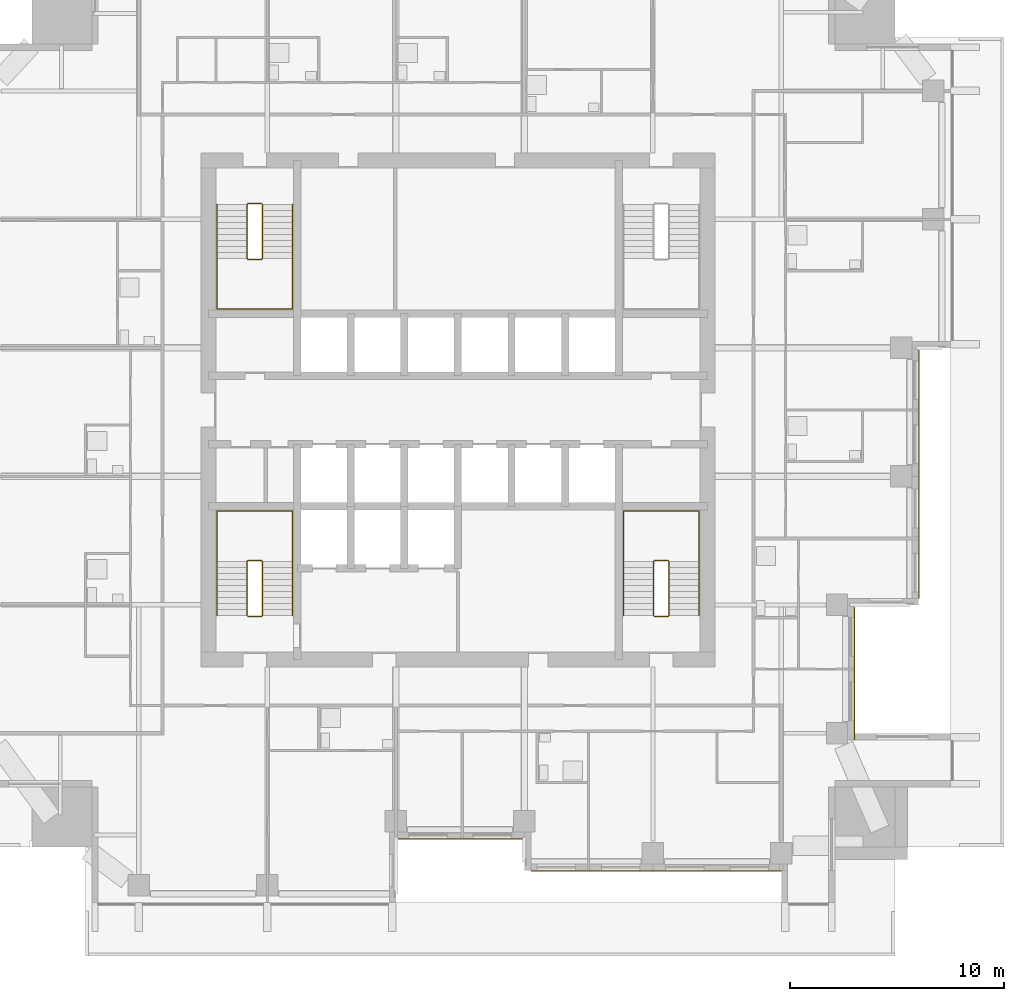
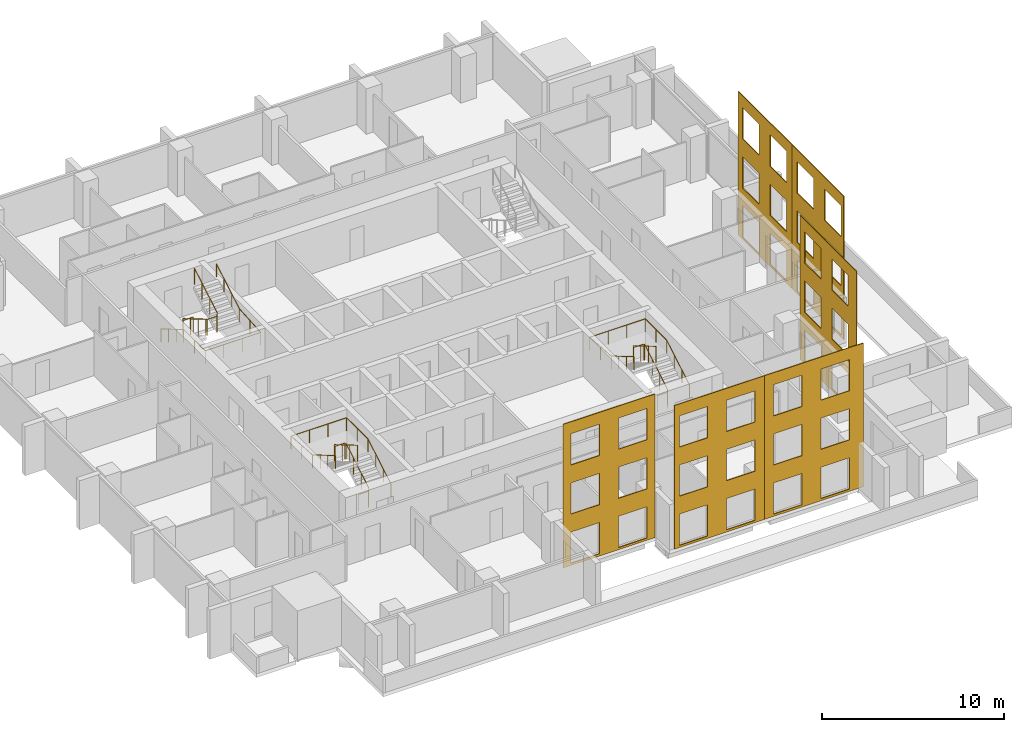
# One storey, part 12 of 14: 6 coverings, 6 railings.
"""IFC4 building model written with IfcOpenShell, lengths in metres."""

from ifc_helpers import new_model, si_unit, direction, frame, origin, origin_2d, place, context, subcontext, project, spatial, polyline, circle, outline, extrude, material, layer, layer_set, type_object, element, save


model = new_model("IFC4")

# Units and contexts
model_context = context("Model", 3, precision=1e-05, world=origin(), true_north=direction((0.0, 1.0)))
body_context = subcontext(model_context, "Body", "Model", "MODEL_VIEW")
ifc_project = project(units=[si_unit("LENGTHUNIT", "METRE"), si_unit("AREAUNIT", "SQUARE_METRE"), si_unit("VOLUMEUNIT", "CUBIC_METRE"), si_unit("PLANEANGLEUNIT", "RADIAN"), si_unit("MASSUNIT", "GRAM", prefix="KILO")], contexts=[model_context])

# Site, building, storey
site_placement = place(None, origin())
site = spatial("IfcSite", under=ifc_project, at=site_placement, CompositionType="ELEMENT")
building_placement = place(site_placement, origin())
building = spatial("IfcBuilding", under=site, at=building_placement, Name="Amberfall Residences", CompositionType="ELEMENT")
storey_placement = place(building_placement, frame((0.0, 0.0, 133.89990234375)))
storey = spatial("IfcBuildingStorey", under=building, at=storey_placement, Name="L35", CompositionType="ELEMENT", Elevation=133.89990234375)

# Coverings
ifc_material_1 = material(Name="Pale limestone cladding", Category="masonry")
ifc_layer = layer(ifc_material_1, 0.050048828125)
ifc_layer_set = layer_set([ifc_layer], Name="Limestone fascia 50")
covering_type = type_object("IfcCoveringType", Name="Limestone fascia 50", PredefinedType="CLADDING", material=ifc_layer_set)
covering_1_placement = place(storey_placement, frame((71.68994140625, 25.5, 9.650146484375), z_axis=(0.0, 1.0, 0.0), x_axis=(1.0, 0.0, 0.0)))
element("IfcCovering", 1, at=covering_1_placement, inside=storey, type_object=covering_type, Name="Pale limestone cladding L35-L37 S", PredefinedType="CLADDING", context=body_context, shape_type="SweptSolid", body=[
    extrude(outline(polyline([(0.0, 0.0), (5.820068359375, 0.0), (5.820068359375, 9.650146484375), (0.0, 9.650146484375), (0.0, 0.0)]), holes=[polyline([(0.510009765625, 7.400146484375), (2.31005859375, 7.400146484375), (2.31005859375, 9.5), (0.510009765625, 9.5), (0.510009765625, 7.400146484375)]), polyline([(3.510009765625, 7.400146484375), (5.31005859375, 7.400146484375), (5.31005859375, 9.5), (3.510009765625, 9.5), (3.510009765625, 7.400146484375)]), polyline([(0.510009765625, 4.10009765625), (2.31005859375, 4.10009765625), (2.31005859375, 6.199951171875), (0.510009765625, 6.199951171875), (0.510009765625, 4.10009765625)]), polyline([(3.510009765625, 4.10009765625), (5.31005859375, 4.10009765625), (5.31005859375, 6.199951171875), (3.510009765625, 6.199951171875), (3.510009765625, 4.10009765625)]), polyline([(0.510009765625, 0.800048828125), (2.31005859375, 0.800048828125), (2.31005859375, 2.900146484375), (0.510009765625, 2.900146484375), (0.510009765625, 0.800048828125)]), polyline([(3.510009765625, 0.800048828125), (5.31005859375, 0.800048828125), (5.31005859375, 2.900146484375), (3.510009765625, 2.900146484375), (3.510009765625, 0.800048828125)])]), origin(), (0.0, 0.0, -1.0), 0.050048828125),
])
covering_2_placement = place(storey_placement, frame((77.89990234375, 24.0, 9.650146484375), z_axis=(0.0, 1.0, 0.0), x_axis=(1.0, 0.0, 0.0)))
element("IfcCovering", 2, at=covering_2_placement, inside=storey, type_object=covering_type, Name="Pale limestone cladding L35-L37 S", PredefinedType="CLADDING", context=body_context, shape_type="SweptSolid", body=[
    extrude(outline(polyline([(0.0, 0.0), (5.7001953125, 0.0), (5.7001953125, 9.650146484375), (0.0, 9.650146484375), (0.0, 0.0)]), holes=[polyline([(0.300048828125, 7.400146484375), (2.10009765625, 7.400146484375), (2.10009765625, 9.5), (0.300048828125, 9.5), (0.300048828125, 7.400146484375)]), polyline([(3.300048828125, 7.400146484375), (5.10009765625, 7.400146484375), (5.10009765625, 9.5), (3.300048828125, 9.5), (3.300048828125, 7.400146484375)]), polyline([(0.300048828125, 4.10009765625), (2.10009765625, 4.10009765625), (2.10009765625, 6.199951171875), (0.300048828125, 6.199951171875), (0.300048828125, 4.10009765625)]), polyline([(3.300048828125, 4.10009765625), (5.10009765625, 4.10009765625), (5.10009765625, 6.199951171875), (3.300048828125, 6.199951171875), (3.300048828125, 4.10009765625)]), polyline([(0.300048828125, 0.800048828125), (2.10009765625, 0.800048828125), (2.10009765625, 2.900146484375), (0.300048828125, 2.900146484375), (0.300048828125, 0.800048828125)]), polyline([(3.300048828125, 0.800048828125), (5.10009765625, 0.800048828125), (5.10009765625, 2.900146484375), (3.300048828125, 2.900146484375), (3.300048828125, 0.800048828125)])]), origin(), (0.0, 0.0, -1.0), 0.050048828125),
])
covering_3_placement = place(storey_placement, frame((83.60009765625, 24.0, 9.650146484375), z_axis=(0.0, 1.0, 0.0), x_axis=(1.0, 0.0, 0.0)))
element("IfcCovering", 3, at=covering_3_placement, inside=storey, type_object=covering_type, Name="Pale limestone cladding L35-L37 S", PredefinedType="CLADDING", context=body_context, shape_type="SweptSolid", body=[
    extrude(outline(polyline([(0.0, 0.0), (6.2998046875, 0.0), (6.2998046875, 9.650146484375), (0.0, 9.650146484375), (0.0, 0.0)]), holes=[polyline([(0.599853515625, 7.400146484375), (2.39990234375, 7.400146484375), (2.39990234375, 9.5), (0.599853515625, 9.5), (0.599853515625, 7.400146484375)]), polyline([(3.599853515625, 7.400146484375), (5.39990234375, 7.400146484375), (5.39990234375, 9.5), (3.599853515625, 9.5), (3.599853515625, 7.400146484375)]), polyline([(0.599853515625, 4.10009765625), (2.39990234375, 4.10009765625), (2.39990234375, 6.199951171875), (0.599853515625, 6.199951171875), (0.599853515625, 4.10009765625)]), polyline([(3.599853515625, 4.10009765625), (5.39990234375, 4.10009765625), (5.39990234375, 6.199951171875), (3.599853515625, 6.199951171875), (3.599853515625, 4.10009765625)]), polyline([(0.599853515625, 0.800048828125), (2.39990234375, 0.800048828125), (2.39990234375, 2.900146484375), (0.599853515625, 2.900146484375), (0.599853515625, 0.800048828125)]), polyline([(3.599853515625, 0.800048828125), (5.39990234375, 0.800048828125), (5.39990234375, 2.900146484375), (3.599853515625, 2.900146484375), (3.599853515625, 0.800048828125)])]), origin(), (0.0, 0.0, -1.0), 0.050048828125),
])
covering_4_placement = place(storey_placement, frame((93.0, 30.10009765625, 9.650146484375), z_axis=(-1.0, 0.0, 0.0), x_axis=(0.0, 1.0, 0.0)))
element("IfcCovering", 4, at=covering_4_placement, inside=storey, type_object=covering_type, Name="Pale limestone cladding L35-L37 E", PredefinedType="CLADDING", context=body_context, shape_type="SweptSolid", body=[
    extrude(outline(polyline([(0.0, 0.0), (6.2099609375, 0.0), (6.2099609375, 9.650146484375), (0.0, 9.650146484375), (0.0, 0.0)]), holes=[polyline([(0.89990234375, 7.400146484375), (2.699951171875, 7.400146484375), (2.699951171875, 9.5), (0.89990234375, 9.5), (0.89990234375, 7.400146484375)]), polyline([(3.89990234375, 7.400146484375), (5.699951171875, 7.400146484375), (5.699951171875, 9.5), (3.89990234375, 9.5), (3.89990234375, 7.400146484375)]), polyline([(0.89990234375, 4.10009765625), (2.699951171875, 4.10009765625), (2.699951171875, 6.199951171875), (0.89990234375, 6.199951171875), (0.89990234375, 4.10009765625)]), polyline([(3.89990234375, 4.10009765625), (5.699951171875, 4.10009765625), (5.699951171875, 6.199951171875), (3.89990234375, 6.199951171875), (3.89990234375, 4.10009765625)]), polyline([(0.89990234375, 0.800048828125), (2.699951171875, 0.800048828125), (2.699951171875, 2.900146484375), (0.89990234375, 2.900146484375), (0.89990234375, 0.800048828125)]), polyline([(3.89990234375, 0.800048828125), (5.699951171875, 0.800048828125), (5.699951171875, 2.900146484375), (3.89990234375, 2.900146484375), (3.89990234375, 0.800048828125)])]), origin(), (0.0, 0.0, -1.0), 0.050048828125),
])
covering_5_placement = place(storey_placement, frame((96.0, 36.699951171875, 9.650146484375), z_axis=(-1.0, 0.0, 0.0), x_axis=(0.0, 1.0, 0.0)))
element("IfcCovering", 5, at=covering_5_placement, inside=storey, type_object=covering_type, Name="Pale limestone cladding L35-L37 E", PredefinedType="CLADDING", context=body_context, shape_type="SweptSolid", body=[
    extrude(outline(polyline([(0.0, 0.0), (5.699951171875, 0.0), (5.699951171875, 9.650146484375), (0.0, 9.650146484375), (0.0, 0.0)]), holes=[polyline([(0.300048828125, 7.400146484375), (2.10009765625, 7.400146484375), (2.10009765625, 9.5), (0.300048828125, 9.5), (0.300048828125, 7.400146484375)]), polyline([(3.300048828125, 7.400146484375), (5.10009765625, 7.400146484375), (5.10009765625, 9.5), (3.300048828125, 9.5), (3.300048828125, 7.400146484375)]), polyline([(0.300048828125, 4.10009765625), (2.10009765625, 4.10009765625), (2.10009765625, 6.199951171875), (0.300048828125, 6.199951171875), (0.300048828125, 4.10009765625)]), polyline([(3.300048828125, 4.10009765625), (5.10009765625, 4.10009765625), (5.10009765625, 6.199951171875), (3.300048828125, 6.199951171875), (3.300048828125, 4.10009765625)]), polyline([(0.300048828125, 0.800048828125), (2.10009765625, 0.800048828125), (2.10009765625, 2.900146484375), (0.300048828125, 2.900146484375), (0.300048828125, 0.800048828125)]), polyline([(3.300048828125, 0.800048828125), (5.10009765625, 0.800048828125), (5.10009765625, 2.900146484375), (3.300048828125, 2.900146484375), (3.300048828125, 0.800048828125)])]), origin(), (0.0, 0.0, -1.0), 0.050048828125),
])
covering_6_placement = place(storey_placement, frame((96.0, 42.39990234375, 9.650146484375), z_axis=(-1.0, 0.0, 0.0), x_axis=(0.0, 1.0, 0.0)))
element("IfcCovering", 6, at=covering_6_placement, inside=storey, type_object=covering_type, Name="Pale limestone cladding L35-L37 E", PredefinedType="CLADDING", context=body_context, shape_type="SweptSolid", body=[
    extrude(outline(polyline([(0.0, 0.0), (5.91015625, 0.0), (5.91015625, 9.650146484375), (0.0, 9.650146484375), (0.0, 0.0)]), holes=[polyline([(0.60009765625, 7.400146484375), (2.400146484375, 7.400146484375), (2.400146484375, 9.5), (0.60009765625, 9.5), (0.60009765625, 7.400146484375)]), polyline([(3.60009765625, 7.400146484375), (5.400146484375, 7.400146484375), (5.400146484375, 9.5), (3.60009765625, 9.5), (3.60009765625, 7.400146484375)]), polyline([(0.60009765625, 4.10009765625), (2.400146484375, 4.10009765625), (2.400146484375, 6.199951171875), (0.60009765625, 6.199951171875), (0.60009765625, 4.10009765625)]), polyline([(3.60009765625, 4.10009765625), (5.400146484375, 4.10009765625), (5.400146484375, 6.199951171875), (3.60009765625, 6.199951171875), (3.60009765625, 4.10009765625)]), polyline([(0.60009765625, 0.800048828125), (2.400146484375, 0.800048828125), (2.400146484375, 2.900146484375), (0.60009765625, 2.900146484375), (0.60009765625, 0.800048828125)]), polyline([(3.60009765625, 0.800048828125), (5.400146484375, 0.800048828125), (5.400146484375, 2.900146484375), (3.60009765625, 2.900146484375), (3.60009765625, 0.800048828125)])]), origin(), (0.0, 0.0, -1.0), 0.050048828125),
])

# Railings
ifc_material_2 = material(Name="Stainless steel 316", Category="steel")
railing_type_1 = type_object("IfcRailingType", Name="Stair guard 1100", PredefinedType="GUARDRAIL", material=ifc_material_2)
railing_1_placement = place(storey_placement, frame((64.699951171875, 35.85009765625, 0.0)))
element("IfcRailing", 7, at=railing_1_placement, inside=storey, type_object=railing_type_1, Name="L35 stair 1 guard", PredefinedType="GUARDRAIL", context=body_context, shape_type="SweptSolid", body=[
    extrude(circle(Radius=0.02392578125, at=origin_2d()), frame((0.0, 0.0, 1.076171875), z_axis=(1.0, 0.0, 0.0), x_axis=(0.0, 1.0, 0.0)), (0.0, 0.0, 1.0), 0.625),
    extrude(circle(Radius=0.02392578125, at=origin_2d()), frame((0.625, 0.0, 1.076171875), z_axis=(0.278810427259, 0.277450376394, 0.919394384522), x_axis=(-0.705375805398, 0.708833529934, 0.0)), (0.0, 0.0, 1.0), 0.179443359375),
    extrude(circle(Radius=0.02392578125, at=origin_2d()), frame((0.675048828125, 0.0498046875, 1.2412109375), z_axis=(0.0, 0.86152411907, 0.507716645641), x_axis=(-1.0, 0.0, 0.0)), (0.0, 0.0, 1.0), 2.925048828125),
    extrude(circle(Radius=0.02392578125, at=origin_2d()), frame((0.675048828125, 2.56982421875, 2.72607421875), z_axis=(-0.707106781187, 0.707106781187, 0.0), x_axis=(-0.707106781187, -0.707106781187, 0.0)), (0.0, 0.0, 1.0), 0.07080078125),
    extrude(circle(Radius=0.02392578125, at=origin_2d()), frame((0.625, 2.619873046875, 2.72607421875), z_axis=(-1.0, 0.0, 0.0), x_axis=(0.0, -1.0, 0.0)), (0.0, 0.0, 1.0), 0.625),
    extrude(circle(Radius=0.02392578125, at=origin_2d()), frame((0.0, 2.619873046875, 2.72607421875), z_axis=(-0.278705021027, -0.278705021027, 0.919046801044), x_axis=(0.707106781187, -0.707106781187, 0.0)), (0.0, 0.0, 1.0), 0.1796875),
    extrude(circle(Radius=0.02392578125, at=origin_2d()), frame((-0.050048828125, 2.56982421875, 2.89111328125), z_axis=(0.0, -0.861560626758, 0.507654692109), x_axis=(1.0, 0.0, 0.0)), (0.0, 0.0, 1.0), 2.925048828125),
    extrude(circle(Radius=0.02099609375, at=origin_2d()), origin(), (0.0, 0.0, 1.0), 1.052001953125),
    extrude(circle(Radius=0.02099609375, at=origin_2d()), frame((0.625, 0.0, 0.0)), (0.0, 0.0, 1.0), 1.052001953125),
    extrude(circle(Radius=0.02099609375, at=origin_2d()), frame((0.675048828125, 0.0498046875, 0.1650390625)), (0.0, 0.0, 1.0), 1.052001953125),
    extrude(circle(Radius=0.02099609375, at=origin_2d()), frame((0.675048828125, 0.889892578125, 0.66015625)), (0.0, 0.0, 1.0), 1.052001953125),
    extrude(circle(Radius=0.02099609375, at=origin_2d()), frame((0.675048828125, 1.729736328125, 1.155029296875)), (0.0, 0.0, 1.0), 1.052001953125),
    extrude(circle(Radius=0.02099609375, at=origin_2d()), frame((0.675048828125, 2.56982421875, 1.650146484375)), (0.0, 0.0, 1.0), 1.052001953125),
    extrude(circle(Radius=0.02099609375, at=origin_2d()), frame((0.625, 2.619873046875, 1.650146484375)), (0.0, 0.0, 1.0), 1.052001953125),
    extrude(circle(Radius=0.02099609375, at=origin_2d()), frame((0.0, 2.619873046875, 1.650146484375)), (0.0, 0.0, 1.0), 1.052001953125),
    extrude(circle(Radius=0.02099609375, at=origin_2d()), frame((-0.050048828125, 2.56982421875, 1.815185546875)), (0.0, 0.0, 1.0), 1.052001953125),
    extrude(circle(Radius=0.02099609375, at=origin_2d()), frame((-0.050048828125, 1.729736328125, 2.31005859375)), (0.0, 0.0, 1.0), 1.052001953125),
    extrude(circle(Radius=0.02099609375, at=origin_2d()), frame((-0.050048828125, 0.889892578125, 2.80517578125)), (0.0, 0.0, 1.0), 1.052001953125),
    extrude(circle(Radius=0.02099609375, at=origin_2d()), frame((-0.050048828125, 0.0498046875, 3.300048828125)), (0.0, 0.0, 1.0), 1.052001953125),
])
railing_2_placement = place(storey_placement, frame((83.675048828125, 35.85009765625, 0.0)))
element("IfcRailing", 8, at=railing_2_placement, inside=storey, type_object=railing_type_1, Name="L35 stair 2 guard", PredefinedType="GUARDRAIL", context=body_context, shape_type="SweptSolid", body=[
    extrude(circle(Radius=0.02392578125, at=origin_2d()), frame((0.0, 0.0, 1.076171875), z_axis=(1.0, 0.0, 0.0), x_axis=(0.0, 1.0, 0.0)), (0.0, 0.0, 1.0), 0.625),
    extrude(circle(Radius=0.02392578125, at=origin_2d()), frame((0.625, 0.0, 1.076171875), z_axis=(0.278810427259, 0.277450376394, 0.919394384522), x_axis=(-0.705375805398, 0.708833529934, 0.0)), (0.0, 0.0, 1.0), 0.179443359375),
    extrude(circle(Radius=0.02392578125, at=origin_2d()), frame((0.675048828125, 0.0498046875, 1.2412109375), z_axis=(0.0, 0.86152411907, 0.507716645641), x_axis=(-1.0, 0.0, 0.0)), (0.0, 0.0, 1.0), 2.925048828125),
    extrude(circle(Radius=0.02392578125, at=origin_2d()), frame((0.675048828125, 2.56982421875, 2.72607421875), z_axis=(-0.707106781187, 0.707106781187, 0.0), x_axis=(-0.707106781187, -0.707106781187, 0.0)), (0.0, 0.0, 1.0), 0.07080078125),
    extrude(circle(Radius=0.02392578125, at=origin_2d()), frame((0.625, 2.619873046875, 2.72607421875), z_axis=(-1.0, 0.0, 0.0), x_axis=(0.0, -1.0, 0.0)), (0.0, 0.0, 1.0), 0.625),
    extrude(circle(Radius=0.02392578125, at=origin_2d()), frame((0.0, 2.619873046875, 2.72607421875), z_axis=(-0.278705021027, -0.278705021027, 0.919046801044), x_axis=(0.707106781187, -0.707106781187, 0.0)), (0.0, 0.0, 1.0), 0.1796875),
    extrude(circle(Radius=0.02392578125, at=origin_2d()), frame((-0.050048828125, 2.56982421875, 2.89111328125), z_axis=(0.0, -0.861560626758, 0.507654692109), x_axis=(1.0, 0.0, 0.0)), (0.0, 0.0, 1.0), 2.925048828125),
    extrude(circle(Radius=0.02099609375, at=origin_2d()), origin(), (0.0, 0.0, 1.0), 1.052001953125),
    extrude(circle(Radius=0.02099609375, at=origin_2d()), frame((0.625, 0.0, 0.0)), (0.0, 0.0, 1.0), 1.052001953125),
    extrude(circle(Radius=0.02099609375, at=origin_2d()), frame((0.675048828125, 0.0498046875, 0.1650390625)), (0.0, 0.0, 1.0), 1.052001953125),
    extrude(circle(Radius=0.02099609375, at=origin_2d()), frame((0.675048828125, 0.889892578125, 0.66015625)), (0.0, 0.0, 1.0), 1.052001953125),
    extrude(circle(Radius=0.02099609375, at=origin_2d()), frame((0.675048828125, 1.729736328125, 1.155029296875)), (0.0, 0.0, 1.0), 1.052001953125),
    extrude(circle(Radius=0.02099609375, at=origin_2d()), frame((0.675048828125, 2.56982421875, 1.650146484375)), (0.0, 0.0, 1.0), 1.052001953125),
    extrude(circle(Radius=0.02099609375, at=origin_2d()), frame((0.625, 2.619873046875, 1.650146484375)), (0.0, 0.0, 1.0), 1.052001953125),
    extrude(circle(Radius=0.02099609375, at=origin_2d()), frame((0.0, 2.619873046875, 1.650146484375)), (0.0, 0.0, 1.0), 1.052001953125),
    extrude(circle(Radius=0.02099609375, at=origin_2d()), frame((-0.050048828125, 2.56982421875, 1.815185546875)), (0.0, 0.0, 1.0), 1.052001953125),
    extrude(circle(Radius=0.02099609375, at=origin_2d()), frame((-0.050048828125, 1.729736328125, 2.31005859375)), (0.0, 0.0, 1.0), 1.052001953125),
    extrude(circle(Radius=0.02099609375, at=origin_2d()), frame((-0.050048828125, 0.889892578125, 2.80517578125)), (0.0, 0.0, 1.0), 1.052001953125),
    extrude(circle(Radius=0.02099609375, at=origin_2d()), frame((-0.050048828125, 0.0498046875, 3.300048828125)), (0.0, 0.0, 1.0), 1.052001953125),
])
railing_3_placement = place(storey_placement, frame((65.324951171875, 55.14990234375, 0.0)))
element("IfcRailing", 9, at=railing_3_placement, inside=storey, type_object=railing_type_1, Name="L35 stair 4 guard", PredefinedType="GUARDRAIL", context=body_context, shape_type="SweptSolid", body=[
    extrude(circle(Radius=0.02392578125, at=origin_2d()), frame((0.0, 0.0, 1.076171875), z_axis=(-1.0, 0.0, 0.0), x_axis=(0.0, -1.0, 0.0)), (0.0, 0.0, 1.0), 0.625),
    extrude(circle(Radius=0.02392578125, at=origin_2d()), frame((-0.625, 0.0, 1.076171875), z_axis=(-0.278810427259, -0.277450376394, 0.919394384522), x_axis=(0.705375805398, -0.708833529934, 0.0)), (0.0, 0.0, 1.0), 0.179443359375),
    extrude(circle(Radius=0.02392578125, at=origin_2d()), frame((-0.675048828125, -0.0498046875, 1.2412109375), z_axis=(0.0, -0.86152411907, 0.507716645641), x_axis=(1.0, 0.0, 0.0)), (0.0, 0.0, 1.0), 2.925048828125),
    extrude(circle(Radius=0.02392578125, at=origin_2d()), frame((-0.675048828125, -2.56982421875, 2.72607421875), z_axis=(0.707106781187, -0.707106781187, 0.0), x_axis=(0.707106781187, 0.707106781187, 0.0)), (0.0, 0.0, 1.0), 0.07080078125),
    extrude(circle(Radius=0.02392578125, at=origin_2d()), frame((-0.625, -2.619873046875, 2.72607421875), z_axis=(1.0, 0.0, 0.0), x_axis=(0.0, 1.0, 0.0)), (0.0, 0.0, 1.0), 0.625),
    extrude(circle(Radius=0.02392578125, at=origin_2d()), frame((0.0, -2.619873046875, 2.72607421875), z_axis=(0.278705021027, 0.278705021027, 0.919046801044), x_axis=(-0.707106781187, 0.707106781187, 0.0)), (0.0, 0.0, 1.0), 0.1796875),
    extrude(circle(Radius=0.02392578125, at=origin_2d()), frame((0.050048828125, -2.56982421875, 2.89111328125), z_axis=(0.0, 0.861560626758, 0.507654692109), x_axis=(-1.0, 0.0, 0.0)), (0.0, 0.0, 1.0), 2.925048828125),
    extrude(circle(Radius=0.02099609375, at=origin_2d()), origin(), (0.0, 0.0, 1.0), 1.052001953125),
    extrude(circle(Radius=0.02099609375, at=origin_2d()), frame((-0.625, 0.0, 0.0)), (0.0, 0.0, 1.0), 1.052001953125),
    extrude(circle(Radius=0.02099609375, at=origin_2d()), frame((-0.675048828125, -0.0498046875, 0.1650390625)), (0.0, 0.0, 1.0), 1.052001953125),
    extrude(circle(Radius=0.02099609375, at=origin_2d()), frame((-0.675048828125, -0.889892578125, 0.66015625)), (0.0, 0.0, 1.0), 1.052001953125),
    extrude(circle(Radius=0.02099609375, at=origin_2d()), frame((-0.675048828125, -1.729736328125, 1.155029296875)), (0.0, 0.0, 1.0), 1.052001953125),
    extrude(circle(Radius=0.02099609375, at=origin_2d()), frame((-0.675048828125, -2.56982421875, 1.650146484375)), (0.0, 0.0, 1.0), 1.052001953125),
    extrude(circle(Radius=0.02099609375, at=origin_2d()), frame((-0.625, -2.619873046875, 1.650146484375)), (0.0, 0.0, 1.0), 1.052001953125),
    extrude(circle(Radius=0.02099609375, at=origin_2d()), frame((0.0, -2.619873046875, 1.650146484375)), (0.0, 0.0, 1.0), 1.052001953125),
    extrude(circle(Radius=0.02099609375, at=origin_2d()), frame((0.050048828125, -2.56982421875, 1.815185546875)), (0.0, 0.0, 1.0), 1.052001953125),
    extrude(circle(Radius=0.02099609375, at=origin_2d()), frame((0.050048828125, -1.729736328125, 2.31005859375)), (0.0, 0.0, 1.0), 1.052001953125),
    extrude(circle(Radius=0.02099609375, at=origin_2d()), frame((0.050048828125, -0.889892578125, 2.80517578125)), (0.0, 0.0, 1.0), 1.052001953125),
    extrude(circle(Radius=0.02099609375, at=origin_2d()), frame((0.050048828125, -0.0498046875, 3.300048828125)), (0.0, 0.0, 1.0), 1.052001953125),
])
railing_type_2 = type_object("IfcRailingType", Name="Stair handrail 900", PredefinedType="HANDRAIL", material=ifc_material_2)
railing_4_placement = place(storey_placement, frame((66.77490234375, 35.89990234375, 0.1650390625)))
element("IfcRailing", 10, at=railing_4_placement, inside=storey, type_object=railing_type_2, Name="L35 stair 1 handrail", PredefinedType="HANDRAIL", context=body_context, shape_type="SweptSolid", body=[
    extrude(circle(Radius=0.02392578125, at=origin_2d()), frame((0.0, 0.0, 0.8759765625), z_axis=(0.0, 0.86152411907, 0.507716645641), x_axis=(-1.0, 0.0, 0.0)), (0.0, 0.0, 1.0), 2.925048828125),
    extrude(circle(Radius=0.02392578125, at=origin_2d()), frame((0.0, 2.52001953125, 2.36083984375), z_axis=(0.0, 1.0, 0.0), x_axis=(-1.0, 0.0, 0.0)), (0.0, 0.0, 1.0), 2.35498046875),
    extrude(circle(Radius=0.02392578125, at=origin_2d()), frame((0.0, 4.875, 2.36083984375), z_axis=(-1.0, 0.0, 0.0), x_axis=(0.0, -1.0, 0.0)), (0.0, 0.0, 1.0), 3.52490234375),
    extrude(circle(Radius=0.02392578125, at=origin_2d()), frame((-3.52490234375, 4.875, 2.36083984375), z_axis=(0.0, -0.997553344917, 0.069909398835), x_axis=(1.0, 0.0, 0.0)), (0.0, 0.0, 1.0), 2.36083984375),
    extrude(circle(Radius=0.02392578125, at=origin_2d()), frame((-3.52490234375, 2.52001953125, 2.52587890625), z_axis=(0.0, -0.861560626758, 0.507654692109), x_axis=(1.0, 0.0, 0.0)), (0.0, 0.0, 1.0), 2.925048828125),
    extrude(circle(Radius=0.02099609375, at=origin_2d()), origin(), (0.0, 0.0, 1.0), 0.851806640625),
    extrude(circle(Radius=0.02099609375, at=origin_2d()), frame((0.0, 0.840087890625, 0.4951171875)), (0.0, 0.0, 1.0), 0.851806640625),
    extrude(circle(Radius=0.02099609375, at=origin_2d()), frame((0.0, 1.679931640625, 0.989990234375)), (0.0, 0.0, 1.0), 0.851806640625),
    extrude(circle(Radius=0.02099609375, at=origin_2d()), frame((0.0, 2.52001953125, 1.485107421875)), (0.0, 0.0, 1.0), 0.851806640625),
    extrude(circle(Radius=0.02099609375, at=origin_2d()), frame((0.0, 3.697509765625, 1.485107421875)), (0.0, 0.0, 1.0), 0.851806640625),
    extrude(circle(Radius=0.02099609375, at=origin_2d()), frame((0.0, 4.875, 1.485107421875)), (0.0, 0.0, 1.0), 0.851806640625),
    extrude(circle(Radius=0.02099609375, at=origin_2d()), frame((-1.175048828125, 4.875, 1.485107421875)), (0.0, 0.0, 1.0), 0.851806640625),
    extrude(circle(Radius=0.02099609375, at=origin_2d()), frame((-2.349853515625, 4.875, 1.485107421875)), (0.0, 0.0, 1.0), 0.851806640625),
    extrude(circle(Radius=0.02099609375, at=origin_2d()), frame((-3.52490234375, 4.875, 1.485107421875)), (0.0, 0.0, 1.0), 0.851806640625),
    extrude(circle(Radius=0.02099609375, at=origin_2d()), frame((-3.52490234375, 3.697509765625, 1.567626953125)), (0.0, 0.0, 1.0), 0.851806640625),
    extrude(circle(Radius=0.02099609375, at=origin_2d()), frame((-3.52490234375, 2.52001953125, 1.650146484375)), (0.0, 0.0, 1.0), 0.851806640625),
    extrude(circle(Radius=0.02099609375, at=origin_2d()), frame((-3.52490234375, 1.679931640625, 2.14501953125)), (0.0, 0.0, 1.0), 0.851806640625),
    extrude(circle(Radius=0.02099609375, at=origin_2d()), frame((-3.52490234375, 0.840087890625, 2.64013671875)), (0.0, 0.0, 1.0), 0.851806640625),
    extrude(circle(Radius=0.02099609375, at=origin_2d()), frame((-3.52490234375, 0.0, 3.135009765625)), (0.0, 0.0, 1.0), 0.851806640625),
])
railing_5_placement = place(storey_placement, frame((85.75, 35.89990234375, 0.1650390625)))
element("IfcRailing", 11, at=railing_5_placement, inside=storey, type_object=railing_type_2, Name="L35 stair 2 handrail", PredefinedType="HANDRAIL", context=body_context, shape_type="SweptSolid", body=[
    extrude(circle(Radius=0.02392578125, at=origin_2d()), frame((0.0, 0.0, 0.8759765625), z_axis=(0.0, 0.86152411907, 0.507716645641), x_axis=(-1.0, 0.0, 0.0)), (0.0, 0.0, 1.0), 2.925048828125),
    extrude(circle(Radius=0.02392578125, at=origin_2d()), frame((0.0, 2.52001953125, 2.36083984375), z_axis=(0.0, 1.0, 0.0), x_axis=(-1.0, 0.0, 0.0)), (0.0, 0.0, 1.0), 2.35498046875),
    extrude(circle(Radius=0.02392578125, at=origin_2d()), frame((0.0, 4.875, 2.36083984375), z_axis=(-1.0, 0.0, 0.0), x_axis=(0.0, -1.0, 0.0)), (0.0, 0.0, 1.0), 3.52490234375),
    extrude(circle(Radius=0.02392578125, at=origin_2d()), frame((-3.52490234375, 4.875, 2.36083984375), z_axis=(0.0, -0.997553344917, 0.069909398835), x_axis=(1.0, 0.0, 0.0)), (0.0, 0.0, 1.0), 2.36083984375),
    extrude(circle(Radius=0.02392578125, at=origin_2d()), frame((-3.52490234375, 2.52001953125, 2.52587890625), z_axis=(0.0, -0.861560626758, 0.507654692109), x_axis=(1.0, 0.0, 0.0)), (0.0, 0.0, 1.0), 2.925048828125),
    extrude(circle(Radius=0.02099609375, at=origin_2d()), origin(), (0.0, 0.0, 1.0), 0.851806640625),
    extrude(circle(Radius=0.02099609375, at=origin_2d()), frame((0.0, 0.840087890625, 0.4951171875)), (0.0, 0.0, 1.0), 0.851806640625),
    extrude(circle(Radius=0.02099609375, at=origin_2d()), frame((0.0, 1.679931640625, 0.989990234375)), (0.0, 0.0, 1.0), 0.851806640625),
    extrude(circle(Radius=0.02099609375, at=origin_2d()), frame((0.0, 2.52001953125, 1.485107421875)), (0.0, 0.0, 1.0), 0.851806640625),
    extrude(circle(Radius=0.02099609375, at=origin_2d()), frame((0.0, 3.697509765625, 1.485107421875)), (0.0, 0.0, 1.0), 0.851806640625),
    extrude(circle(Radius=0.02099609375, at=origin_2d()), frame((0.0, 4.875, 1.485107421875)), (0.0, 0.0, 1.0), 0.851806640625),
    extrude(circle(Radius=0.02099609375, at=origin_2d()), frame((-1.175048828125, 4.875, 1.485107421875)), (0.0, 0.0, 1.0), 0.851806640625),
    extrude(circle(Radius=0.02099609375, at=origin_2d()), frame((-2.349853515625, 4.875, 1.485107421875)), (0.0, 0.0, 1.0), 0.851806640625),
    extrude(circle(Radius=0.02099609375, at=origin_2d()), frame((-3.52490234375, 4.875, 1.485107421875)), (0.0, 0.0, 1.0), 0.851806640625),
    extrude(circle(Radius=0.02099609375, at=origin_2d()), frame((-3.52490234375, 3.697509765625, 1.567626953125)), (0.0, 0.0, 1.0), 0.851806640625),
    extrude(circle(Radius=0.02099609375, at=origin_2d()), frame((-3.52490234375, 2.52001953125, 1.650146484375)), (0.0, 0.0, 1.0), 0.851806640625),
    extrude(circle(Radius=0.02099609375, at=origin_2d()), frame((-3.52490234375, 1.679931640625, 2.14501953125)), (0.0, 0.0, 1.0), 0.851806640625),
    extrude(circle(Radius=0.02099609375, at=origin_2d()), frame((-3.52490234375, 0.840087890625, 2.64013671875)), (0.0, 0.0, 1.0), 0.851806640625),
    extrude(circle(Radius=0.02099609375, at=origin_2d()), frame((-3.52490234375, 0.0, 3.135009765625)), (0.0, 0.0, 1.0), 0.851806640625),
])
railing_6_placement = place(storey_placement, frame((63.25, 55.10009765625, 0.1650390625)))
element("IfcRailing", 12, at=railing_6_placement, inside=storey, type_object=railing_type_2, Name="L35 stair 4 handrail", PredefinedType="HANDRAIL", context=body_context, shape_type="SweptSolid", body=[
    extrude(circle(Radius=0.02392578125, at=origin_2d()), frame((0.0, 0.0, 0.8759765625), z_axis=(0.0, -0.86152411907, 0.507716645641), x_axis=(1.0, 0.0, 0.0)), (0.0, 0.0, 1.0), 2.925048828125),
    extrude(circle(Radius=0.02392578125, at=origin_2d()), frame((0.0, -2.52001953125, 2.36083984375), z_axis=(0.0, -1.0, 0.0), x_axis=(1.0, 0.0, 0.0)), (0.0, 0.0, 1.0), 2.35498046875),
    extrude(circle(Radius=0.02392578125, at=origin_2d()), frame((0.0, -4.875, 2.36083984375), z_axis=(1.0, 0.0, 0.0), x_axis=(0.0, 1.0, 0.0)), (0.0, 0.0, 1.0), 3.52490234375),
    extrude(circle(Radius=0.02392578125, at=origin_2d()), frame((3.52490234375, -4.875, 2.36083984375), z_axis=(0.0, 0.997553344917, 0.069909398835), x_axis=(-1.0, 0.0, 0.0)), (0.0, 0.0, 1.0), 2.36083984375),
    extrude(circle(Radius=0.02392578125, at=origin_2d()), frame((3.52490234375, -2.52001953125, 2.52587890625), z_axis=(0.0, 0.861560626758, 0.507654692109), x_axis=(-1.0, 0.0, 0.0)), (0.0, 0.0, 1.0), 2.925048828125),
    extrude(circle(Radius=0.02099609375, at=origin_2d()), origin(), (0.0, 0.0, 1.0), 0.851806640625),
    extrude(circle(Radius=0.02099609375, at=origin_2d()), frame((0.0, -0.840087890625, 0.4951171875)), (0.0, 0.0, 1.0), 0.851806640625),
    extrude(circle(Radius=0.02099609375, at=origin_2d()), frame((0.0, -1.679931640625, 0.989990234375)), (0.0, 0.0, 1.0), 0.851806640625),
    extrude(circle(Radius=0.02099609375, at=origin_2d()), frame((0.0, -2.52001953125, 1.485107421875)), (0.0, 0.0, 1.0), 0.851806640625),
    extrude(circle(Radius=0.02099609375, at=origin_2d()), frame((0.0, -3.697509765625, 1.485107421875)), (0.0, 0.0, 1.0), 0.851806640625),
    extrude(circle(Radius=0.02099609375, at=origin_2d()), frame((0.0, -4.875, 1.485107421875)), (0.0, 0.0, 1.0), 0.851806640625),
    extrude(circle(Radius=0.02099609375, at=origin_2d()), frame((1.175048828125, -4.875, 1.485107421875)), (0.0, 0.0, 1.0), 0.851806640625),
    extrude(circle(Radius=0.02099609375, at=origin_2d()), frame((2.349853515625, -4.875, 1.485107421875)), (0.0, 0.0, 1.0), 0.851806640625),
    extrude(circle(Radius=0.02099609375, at=origin_2d()), frame((3.52490234375, -4.875, 1.485107421875)), (0.0, 0.0, 1.0), 0.851806640625),
    extrude(circle(Radius=0.02099609375, at=origin_2d()), frame((3.52490234375, -3.697509765625, 1.567626953125)), (0.0, 0.0, 1.0), 0.851806640625),
    extrude(circle(Radius=0.02099609375, at=origin_2d()), frame((3.52490234375, -2.52001953125, 1.650146484375)), (0.0, 0.0, 1.0), 0.851806640625),
    extrude(circle(Radius=0.02099609375, at=origin_2d()), frame((3.52490234375, -1.679931640625, 2.14501953125)), (0.0, 0.0, 1.0), 0.851806640625),
    extrude(circle(Radius=0.02099609375, at=origin_2d()), frame((3.52490234375, -0.840087890625, 2.64013671875)), (0.0, 0.0, 1.0), 0.851806640625),
    extrude(circle(Radius=0.02099609375, at=origin_2d()), frame((3.52490234375, 0.0, 3.135009765625)), (0.0, 0.0, 1.0), 0.851806640625),
])

save(model, "model.ifc")
